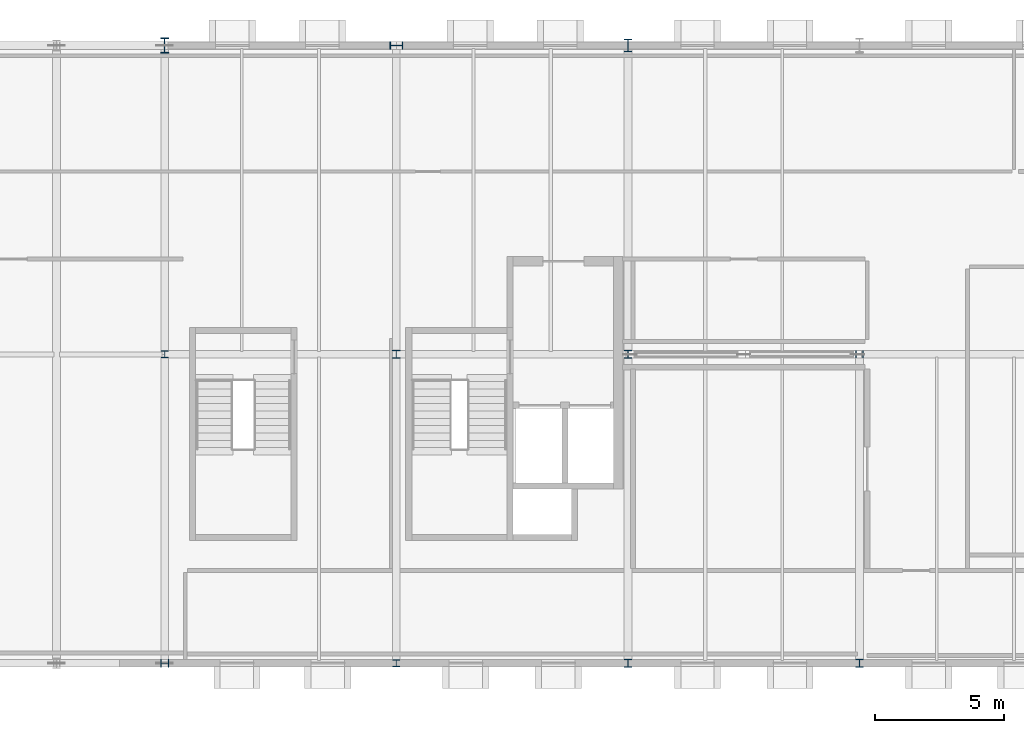
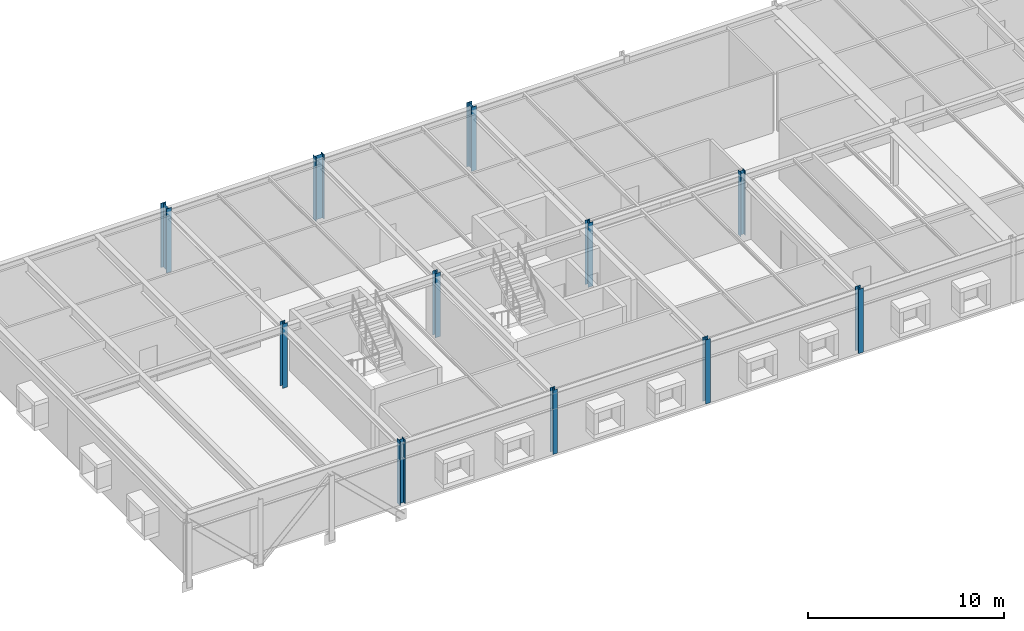
# One storey, part 1 of 17: 11 columns.
"""IFC4 building model written with IfcOpenShell, lengths in metres."""

import ifcopenshell
import ifcopenshell.guid

model = None  # the IFC model being written
_history = None  # IfcOwnerHistory: only IFC2X3 demands one
_inside = {}  # id of a spatial element -> (the spatial element, [elements in it])
_under = {}  # id of a project, library or spatial element -> (it, [spatial elements below it])
_declared = {}  # id of a project -> (the project, [libraries it declares])
_typed = {}  # id of a type object -> (the type object, [elements of that type])
_made_of = {}  # id of a material, layer set ... -> (it, [elements and type objects made of it])


def new_model(schema):
    """Start an empty IFC model of exactly this schema.

    Asked for "IFC4X3", IfcOpenShell would pick the latest addendum, in which some entities
    have other attributes; the version numbers below select the first issue.
    IFC2X3 requires an IfcOwnerHistory on every rooted entity: one is made here for all.
    """
    global model, _history
    if schema == "IFC4X3":
        model = ifcopenshell.file(schema_version=(4, 3, 0, 0))
    else:
        model = ifcopenshell.file(schema=schema)
    _inside.clear()
    _under.clear()
    _declared.clear()
    _typed.clear()
    _made_of.clear()
    _history = None
    if model.schema == "IFC2X3":
        org = make("IfcOrganization", Name="unknown")
        user = make(
            "IfcPersonAndOrganization",
            ThePerson=make("IfcPerson", FamilyName="unknown"),
            TheOrganization=org,
        )
        app = make(
            "IfcApplication",
            ApplicationDeveloper=org,
            Version="unknown",
            ApplicationFullName="unknown",
            ApplicationIdentifier="unknown",
        )
        _history = make(
            "IfcOwnerHistory",
            OwningUser=user,
            OwningApplication=app,
            ChangeAction="ADDED",
            CreationDate=0,
        )
    return model


def make(cls, **values):
    """One entity of the class cls with the attributes given. An attribute that is None is left unset."""
    return model.create_entity(
        cls, **{name: value for name, value in values.items() if value is not None}
    )


def rooted(cls, **values):
    """An entity with a GlobalId (a new one), such as an element, a storey or a relation."""
    return make(cls, GlobalId=ifcopenshell.guid.new(), OwnerHistory=_history, **values)


def si_unit(unit_type, name, prefix=None):
    """IfcSIUnit, for example si_unit("LENGTHUNIT", "METRE", prefix="MILLI")."""
    return make("IfcSIUnit", UnitType=unit_type, Prefix=prefix, Name=name)


def assignment(units):
    """IfcUnitAssignment: the units of a project."""
    return None if units is None else make("IfcUnitAssignment", Units=units)


def point(xyz):
    """IfcCartesianPoint."""
    return None if xyz is None else make("IfcCartesianPoint", Coordinates=xyz)


def direction(xyz):
    """IfcDirection."""
    return None if xyz is None else make("IfcDirection", DirectionRatios=xyz)


def frame(location, z_axis=None, x_axis=None):
    """IfcAxis2Placement3D, a coordinate frame: its origin and axes. An axis left out is left unset."""
    return make(
        "IfcAxis2Placement3D",
        Location=point(location),
        Axis=direction(z_axis),
        RefDirection=direction(x_axis),
    )


def frame_2d(location, x_axis=None):
    """IfcAxis2Placement2D, a coordinate frame in the plane: its origin and x axis."""
    return make(
        "IfcAxis2Placement2D", Location=point(location), RefDirection=direction(x_axis)
    )


def origin():
    """The frame at (0, 0, 0) with its axes left unset."""
    return frame((0.0, 0.0, 0.0))


def origin_2d():
    """The frame at (0, 0) in the plane with its x axis left unset."""
    return frame_2d((0.0, 0.0))


def place(relative_to, where):
    """IfcLocalPlacement: puts the frame where relative to a parent placement (None: the world)."""
    return make(
        "IfcLocalPlacement", PlacementRelTo=relative_to, RelativePlacement=where
    )


def context(
    kind, dimensions, precision=None, world=None, true_north=None, identifier=None
):
    """IfcGeometricRepresentationContext, for example the 3D "Model" context."""
    return make(
        "IfcGeometricRepresentationContext",
        ContextIdentifier=identifier,
        ContextType=kind,
        CoordinateSpaceDimension=dimensions,
        Precision=precision,
        WorldCoordinateSystem=world,
        TrueNorth=true_north,
    )


def subcontext(parent, identifier, kind, view, scale=None):
    """IfcGeometricRepresentationSubContext, for example "Body" below "Model"."""
    return make(
        "IfcGeometricRepresentationSubContext",
        ContextIdentifier=identifier,
        ContextType=kind,
        ParentContext=parent,
        TargetScale=scale,
        TargetView=view,
    )


def project(units=None, contexts=None):
    """IfcProject with its units and contexts."""
    return rooted(
        "IfcProject",
        Name="project",
        RepresentationContexts=contexts,
        UnitsInContext=assignment(units),
    )


def spatial(cls, under=None, at=None, **own):
    """A site, building, storey or space (cls), placed at a placement, below another one or the project."""
    s = rooted(cls, ObjectPlacement=at, **own)
    if under is not None:
        _under.setdefault(under.id(), (under, []))[1].append(s)
    return s


def profile(cls, at=None, kind="AREA", **sizes):
    """A parametric profile (cls). Its sizes go by their IFC names, for example OverallWidth=200.0."""
    return make(cls, ProfileType=kind, Position=at, **sizes)


def i_section(**sizes):
    """IfcIShapeProfileDef."""
    return profile("IfcIShapeProfileDef", **sizes)


def extrude(swept, where, along, depth):
    """IfcExtrudedAreaSolid: the profile swept, set in the frame where, extruded along a direction by depth."""
    return make(
        "IfcExtrudedAreaSolid",
        SweptArea=swept,
        Position=where,
        ExtrudedDirection=direction(along),
        Depth=depth,
    )


def shape(context_of_items, identifier, shape_type, items):
    """IfcShapeRepresentation: the items that make up one representation, for example the "Body"."""
    return make(
        "IfcShapeRepresentation",
        ContextOfItems=context_of_items,
        RepresentationIdentifier=identifier,
        RepresentationType=shape_type,
        Items=items,
    )


def material(Name=None, Category=None):
    """IfcMaterial."""
    return make("IfcMaterial", Name=Name, Category=Category)


def material_profile(
    of_material, cross_section, Name=None, Category=None, Priority=None
):
    """IfcMaterialProfile: a cross section and its material."""
    return make(
        "IfcMaterialProfile",
        Name=Name,
        Material=of_material,
        Profile=cross_section,
        Priority=Priority,
        Category=Category,
    )


def profile_set(profiles, Name=None, composite=None):
    """IfcMaterialProfileSet."""
    return make(
        "IfcMaterialProfileSet",
        Name=Name,
        MaterialProfiles=profiles,
        CompositeProfile=composite,
    )


def made_of(thing, what):
    """Note that an element or type object is made of a material, layer set ...; save() writes the relation."""
    if what is not None:
        _made_of.setdefault(what.id(), (what, []))[1].append(thing)
    return thing


def type_object(cls, material=None, **own):
    """A type object (cls), such as IfcWallType, which elements share."""
    return made_of(rooted(cls, **own), material)


def element(
    cls,
    number,
    at=None,
    inside=None,
    cuts=None,
    type_object=None,
    material=None,
    context=None,
    identifier="Body",
    shape_type=None,
    held_by="IfcProductDefinitionShape",
    body=None,
    shapes=None,
    **own,
):
    """One element of the class cls, such as IfcWall. Its Tag is "e" and its number.

    at: its placement. inside: the storey or other place that contains it. cuts: it is an
    opening in that element (IfcRelVoidsElement). A single representation is given by context,
    identifier, shape_type and body (its items); several are given by shapes. held_by: the class
    of the entity that holds the representations. save() writes the other relations.
    """
    e = rooted(cls, Tag="e%d" % number, ObjectPlacement=at, **own)
    if body is not None:
        shapes = [shape(context, identifier, shape_type, body)]
    if shapes is not None:
        e.Representation = make(held_by, Representations=shapes)
    if inside is not None:
        _inside.setdefault(inside.id(), (inside, []))[1].append(e)
    if cuts is not None:
        rooted(
            "IfcRelVoidsElement", RelatingBuildingElement=cuts, RelatedOpeningElement=e
        )
    if type_object is not None:
        _typed.setdefault(type_object.id(), (type_object, []))[1].append(e)
    return made_of(e, material)


def aggregate(whole, parts):
    """IfcRelAggregates: a whole, such as a stair, and the parts it consists of."""
    return rooted("IfcRelAggregates", RelatingObject=whole, RelatedObjects=parts)


def save(model, path):
    """Write the relations noted so far, then the file.

    IfcRelAggregates (storeys below a building ...), IfcRelContainedInSpatialStructure (elements
    in a storey), IfcRelDefinesByType, IfcRelAssociatesMaterial and IfcRelDeclares: one each for
    every whole, place, type object, material and project.
    """
    for whole, parts in _under.values():
        aggregate(whole, parts)
    for where, things in _inside.values():
        rooted(
            "IfcRelContainedInSpatialStructure",
            RelatedElements=things,
            RelatingStructure=where,
        )
    for kind, things in _typed.values():
        rooted("IfcRelDefinesByType", RelatedObjects=things, RelatingType=kind)
    for what, things in _made_of.values():
        rooted("IfcRelAssociatesMaterial", RelatedObjects=things, RelatingMaterial=what)
    for by, libraries in _declared.values():
        rooted("IfcRelDeclares", RelatingContext=by, RelatedDefinitions=libraries)
    model.write(path)


model = new_model("IFC4")

# Units and contexts
model_context = context("Model", 3, precision=1e-05, world=origin(), true_north=direction((0.0, 1.0)))
body_context = subcontext(model_context, "Body", "Model", "MODEL_VIEW")
ifc_project = project(units=[si_unit("LENGTHUNIT", "METRE"), si_unit("AREAUNIT", "SQUARE_METRE"), si_unit("VOLUMEUNIT", "CUBIC_METRE"), si_unit("PLANEANGLEUNIT", "RADIAN"), si_unit("MASSUNIT", "GRAM", prefix="KILO")], contexts=[model_context])

# Site, building, storey
site_placement = place(None, origin())
site = spatial("IfcSite", under=ifc_project, at=site_placement, CompositionType="ELEMENT")
building_placement = place(site_placement, origin())
building = spatial("IfcBuilding", under=site, at=building_placement, Name="Montelvaro Courts of Justice", CompositionType="ELEMENT")
storey_placement = place(building_placement, frame((0.0, 0.0, 27.39990234375)))
storey = spatial("IfcBuildingStorey", under=building, at=storey_placement, Name="L06", CompositionType="ELEMENT", Elevation=27.39990234375)

# Columns
ifc_material = material(Name="Steel S355", Category="steel")
ifc_material_profile_1 = material_profile(ifc_material, i_section(OverallWidth=0.280029296875, OverallDepth=0.280029296875, WebThickness=0.010498046875, FlangeThickness=0.01806640625, at=origin_2d()), Name="HEB 280")
ifc_profile_set_1 = profile_set([ifc_material_profile_1], Name="Steel S355")
column_type_1 = type_object("IfcColumnType", Name="Col_HEB280", PredefinedType="COLUMN", material=ifc_profile_set_1)
for number, where, z_axis, x_axis, name in (
    (1, (45.0, 12.0, 0.0), (0.0, 0.0, 1.0), (1.0, 0.0, 0.0), "Column C-02 L06 6/B"),
    (2, (54.0, 0.0, 0.0), (0.0, 0.0, 1.0), (1.0, 0.0, 0.0), "Column C-02 L06 7/A"),
    (3, (72.0, 12.0, 0.0), (0.0, 0.0, 1.0), (0.0, 1.0, 0.0), "Column C-02 L06 9/B"),
):
    element("IfcColumn", number, at=place(storey_placement, frame(where, z_axis=z_axis, x_axis=x_axis)), inside=storey, type_object=column_type_1, Name=name, PredefinedType="COLUMN", context=body_context, shape_type="SweptSolid", body=[
        extrude(i_section(OverallWidth=0.280029296875, OverallDepth=0.280029296875, WebThickness=0.010498046875, FlangeThickness=0.01806640625, at=origin_2d()), origin(), (0.0, 0.0, 1.0), 4.0),
    ])
ifc_material_profile_2 = material_profile(ifc_material, i_section(OverallWidth=0.300048828125, OverallDepth=0.300048828125, WebThickness=0.010986328125, FlangeThickness=0.01904296875, at=origin_2d()), Name="HEB 300")
ifc_profile_set_2 = profile_set([ifc_material_profile_2], Name="Steel S355")
column_type_2 = type_object("IfcColumnType", Name="Col_HEB300", PredefinedType="COLUMN", material=ifc_profile_set_2)
for number, where, z_axis, x_axis, name in (
    (4, (54.0, 12.0, 0.0), (0.0, 0.0, 1.0), (1.0, 0.0, 0.0), "Column C-03 L06 7/B"),
    (5, (63.0, 0.0, 0.0), (0.0, 0.0, 1.0), (1.0, 0.0, 0.0), "Column C-03 L06 8/A"),
):
    element("IfcColumn", number, at=place(storey_placement, frame(where, z_axis=z_axis, x_axis=x_axis)), inside=storey, type_object=column_type_2, Name=name, PredefinedType="COLUMN", context=body_context, shape_type="SweptSolid", body=[
        extrude(i_section(OverallWidth=0.300048828125, OverallDepth=0.300048828125, WebThickness=0.010986328125, FlangeThickness=0.01904296875, at=origin_2d()), origin(), (0.0, 0.0, 1.0), 4.0),
    ])
ifc_material_profile_3 = material_profile(ifc_material, i_section(OverallWidth=0.300048828125, OverallDepth=0.320068359375, WebThickness=0.011474609375, FlangeThickness=0.0205078125, at=origin_2d()), Name="HEB 320")
ifc_profile_set_3 = profile_set([ifc_material_profile_3], Name="Steel S355")
column_type_3 = type_object("IfcColumnType", Name="Col_HEB320", PredefinedType="COLUMN", material=ifc_profile_set_3)
for number, where, z_axis, x_axis, name in (
    (6, (45.0, 0.0, 0.0), (0.0, 0.0, 1.0), (0.0, 1.0, 0.0), "Column C-04 L06 6/A"),
    (7, (63.0, 12.0, 0.0), (0.0, 0.0, 1.0), (1.0, 0.0, 0.0), "Column C-04 L06 8/B"),
    (8, (72.0, 0.0, 0.0), (0.0, 0.0, 1.0), (1.0, 0.0, 0.0), "Column C-04 L06 9/A"),
):
    element("IfcColumn", number, at=place(storey_placement, frame(where, z_axis=z_axis, x_axis=x_axis)), inside=storey, type_object=column_type_3, Name=name, PredefinedType="COLUMN", context=body_context, shape_type="SweptSolid", body=[
        extrude(i_section(OverallWidth=0.300048828125, OverallDepth=0.320068359375, WebThickness=0.011474609375, FlangeThickness=0.0205078125, at=origin_2d()), origin(), (0.0, 0.0, 1.0), 4.0),
    ])
ifc_material_profile_4 = material_profile(ifc_material, i_section(OverallWidth=0.300048828125, OverallDepth=0.5, WebThickness=0.014404296875, FlangeThickness=0.028076171875, at=origin_2d()), Name="HEB 500")
ifc_profile_set_4 = profile_set([ifc_material_profile_4], Name="Steel S355")
column_type_4 = type_object("IfcColumnType", Name="Col_HEB500", PredefinedType="COLUMN", material=ifc_profile_set_4)
for number, where, z_axis, x_axis, name in (
    (9, (54.0, 24.0, 0.0), (0.0, 0.0, 1.0), (0.0, 1.0, 0.0), "Column C-09 L06 7/C"),
    (10, (63.0, 24.0, 0.0), (0.0, 0.0, 1.0), (1.0, 0.0, 0.0), "Column C-09 L06 8/C"),
):
    element("IfcColumn", number, at=place(storey_placement, frame(where, z_axis=z_axis, x_axis=x_axis)), inside=storey, type_object=column_type_4, Name=name, PredefinedType="COLUMN", context=body_context, shape_type="SweptSolid", body=[
        extrude(i_section(OverallWidth=0.300048828125, OverallDepth=0.5, WebThickness=0.014404296875, FlangeThickness=0.028076171875, at=origin_2d()), origin(), (0.0, 0.0, 1.0), 4.0),
    ])
ifc_material_profile_5 = material_profile(ifc_material, i_section(OverallWidth=0.300048828125, OverallDepth=0.60009765625, WebThickness=0.015380859375, FlangeThickness=0.030029296875, at=origin_2d()), Name="HEB 600")
ifc_profile_set_5 = profile_set([ifc_material_profile_5], Name="Steel S355")
column_type_5 = type_object("IfcColumnType", Name="Col_HEB600", PredefinedType="COLUMN", material=ifc_profile_set_5)
column_placement = place(storey_placement, frame((45.0, 24.0, 0.0), z_axis=(0.0, 0.0, 1.0), x_axis=(1.0, 0.0, 0.0)))
element("IfcColumn", 11, at=column_placement, inside=storey, type_object=column_type_5, Name="Column C-11 L06 6/C", PredefinedType="COLUMN", context=body_context, shape_type="SweptSolid", body=[
    extrude(i_section(OverallWidth=0.300048828125, OverallDepth=0.60009765625, WebThickness=0.015380859375, FlangeThickness=0.030029296875, at=origin_2d()), origin(), (0.0, 0.0, 1.0), 4.0),
])

save(model, "model.ifc")
